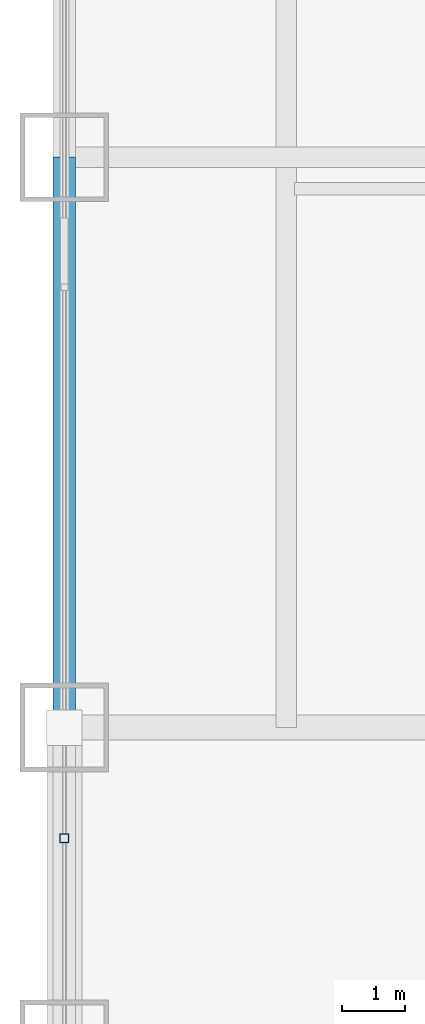
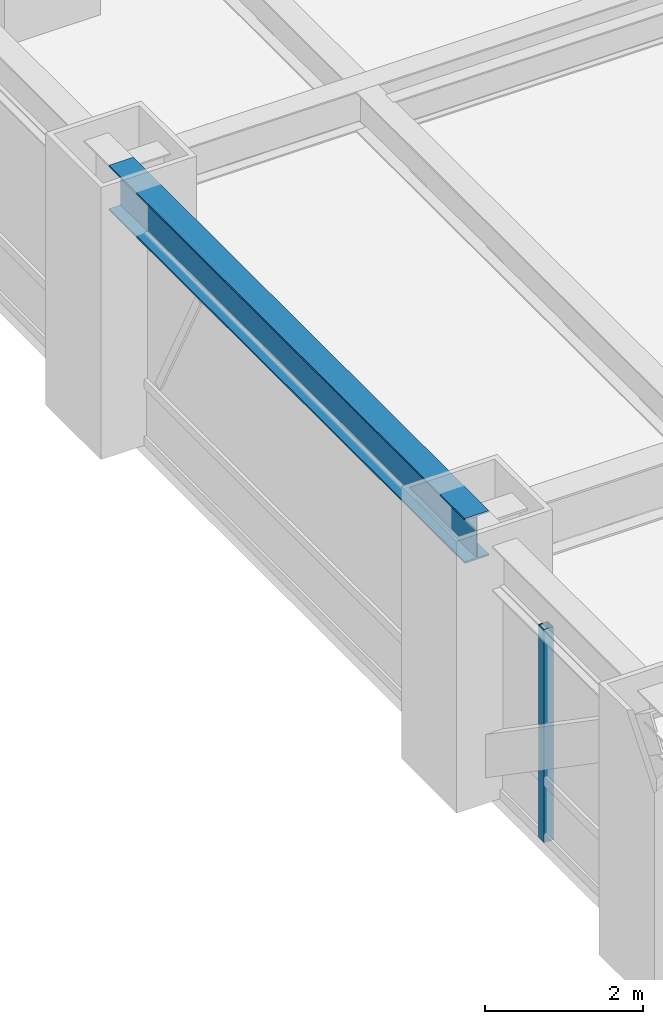
# One storey, part 12 of 27: 1 beam, 1 member, 1 element without a shape of its own.
"""IFC4 building model written with IfcOpenShell, lengths in metres."""

from ifc_helpers import new_model, si_unit, direction, frame, origin, origin_2d, place, context, subcontext, project, spatial, hollow_rectangle, i_section, extrude, source, transform, mapped, material, material_profile, profile_set, type_object, element, aggregate, save


model = new_model("IFC4")

# Units and contexts
model_context = context("Model", 3, precision=1e-05, world=origin(), true_north=direction((0.0, 1.0)))
body_context = subcontext(model_context, "Body", "Model", "MODEL_VIEW")
ifc_project = project(units=[si_unit("LENGTHUNIT", "METRE"), si_unit("AREAUNIT", "SQUARE_METRE"), si_unit("VOLUMEUNIT", "CUBIC_METRE"), si_unit("PLANEANGLEUNIT", "RADIAN"), si_unit("MASSUNIT", "GRAM", prefix="KILO")], contexts=[model_context])

# Site, building, storey
site_placement = place(None, origin())
site = spatial("IfcSite", under=ifc_project, at=site_placement, CompositionType="ELEMENT")
building_placement = place(site_placement, origin())
building = spatial("IfcBuilding", under=site, at=building_placement, Name="Khorayat Bourse Tower", CompositionType="ELEMENT")
storey_placement = place(building_placement, frame((0.0, 0.0, 45.199951171875)))
storey = spatial("IfcBuildingStorey", under=building, at=storey_placement, Name="L09", CompositionType="ELEMENT", Elevation=45.199951171875)

# Beam
ifc_material_1 = material(Name="Steel ASTM A992 Grade 50", Category="steel")
ifc_material_profile_1 = material_profile(ifc_material_1, i_section(OverallWidth=0.35498046875, OverallDepth=0.695068359375, WebThickness=0.015380859375, FlangeThickness=0.02490234375, FilletRadius=0.01806640625, at=origin_2d()), Name="W690X217")
ifc_profile_set_1 = profile_set([ifc_material_profile_1], Name="Steel ASTM A992 Grade 50")
beam_type = type_object("IfcBeamType", Name="BM-SPAN-690", PredefinedType="SPANDREL", material=ifc_profile_set_1)
shared_shape_1 = source(origin(), body_context, "Body", "SweptSolid", [
    extrude(i_section(OverallWidth=0.35498046875, OverallDepth=0.695068359375, WebThickness=0.015380859375, FlangeThickness=0.02490234375, FilletRadius=0.01806640625, at=origin_2d()), origin(), (0.0, 0.0, 1.0), 9.0),
])
beam_placement = place(storey_placement, frame((-32.0, 11.0, 3.592529296875), z_axis=(0.0, 1.0, 0.0), x_axis=(-1.0, 0.0, 0.0)))
element("IfcBeam", 1, at=beam_placement, inside=storey, type_object=beam_type, Name="L09 BM-SPAN-690 BM-L09-SPN-055", PredefinedType="SPANDREL", context=body_context, shape_type="MappedRepresentation", body=[
    mapped(shared_shape_1, transform((0.0, 0.0, 0.0), scale=1.0)),
])

# Curtain wall, member
ifc_material_2 = material(Name="Aluminium EN AW-6063 T6", Category="aluminium")
curtain_wall_type = type_object("IfcCurtainWallType", Name="CW-SYS-02", PredefinedType="NOTDEFINED", material=ifc_material_2)
curtain_wall_placement = place(storey_placement, origin())
curtain_wall = element("IfcCurtainWall", 2, at=curtain_wall_placement, inside=storey, type_object=curtain_wall_type, Name="L09 Curtain Wall CW-L09-W1", PredefinedType="NOTDEFINED")
ifc_material_profile_2 = material_profile(ifc_material_2, hollow_rectangle(XDim=0.139892578125, YDim=0.139892578125, WallThickness=0.006103515625, at=origin_2d()), Name="ALU 140x140x6")
ifc_profile_set_2 = profile_set([ifc_material_profile_2], Name="Aluminium EN AW-6063 T6")
member_type = type_object("IfcMemberType", Name="CWM-VERT-140", PredefinedType="MULLION", material=ifc_profile_set_2)
shared_shape_2 = source(origin(), body_context, "Body", "SweptSolid", [
    extrude(hollow_rectangle(XDim=0.139892578125, YDim=0.139892578125, WallThickness=0.006103515625, at=origin_2d()), origin(), (0.0, 0.0, 1.0), 3.2900390625),
])
member_placement = place(storey_placement, frame((-32.0, 9.25, 0.0), z_axis=(0.0, 0.0, 1.0), x_axis=(-1.0, 0.0, 0.0)))
member = element("IfcMember", 3, at=member_placement, type_object=member_type, Name="CW-L09-W1 Vertical Mullion 3", PredefinedType="MULLION", context=body_context, shape_type="MappedRepresentation", body=[
    mapped(shared_shape_2, transform((0.0, 0.0, 0.0), scale=1.0)),
])
aggregate(curtain_wall, [member])

save(model, "model.ifc")
